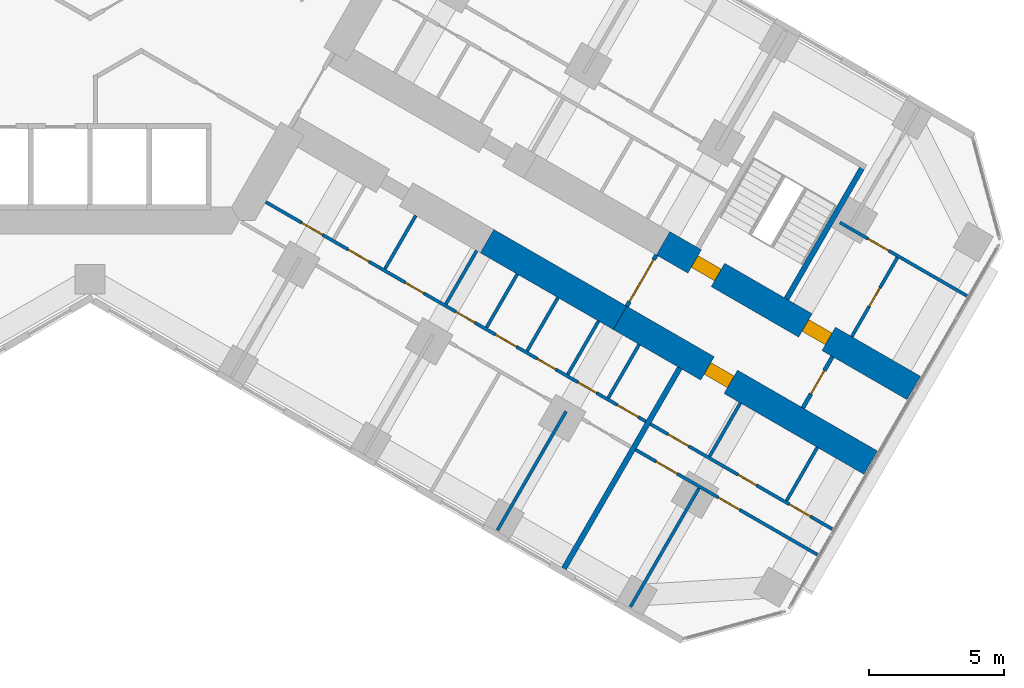
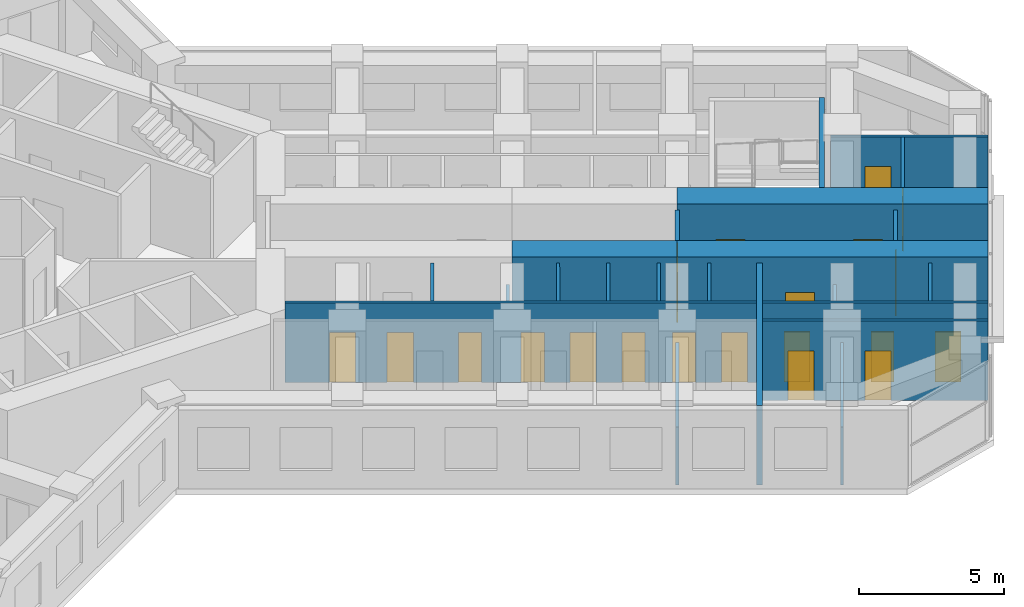
# One storey, part 14 of 21: 22 walls, 20 doors, 20 openings.
"""IFC4 building model written with IfcOpenShell, lengths in metres."""

from ifc_helpers import new_model, si_unit, direction, frame, frame_2d, origin, place, context, subcontext, project, spatial, rectangle, extrude, material, layer, layer_set, type_object, element, fill, save


model = new_model("IFC4")

# Units and contexts
model_context = context("Model", 3, precision=1e-05, world=origin(), true_north=direction((0.0, 1.0)))
body_context = subcontext(model_context, "Body", "Model", "MODEL_VIEW")
ifc_project = project(units=[si_unit("LENGTHUNIT", "METRE"), si_unit("AREAUNIT", "SQUARE_METRE"), si_unit("VOLUMEUNIT", "CUBIC_METRE"), si_unit("PLANEANGLEUNIT", "RADIAN"), si_unit("MASSUNIT", "GRAM", prefix="KILO")], contexts=[model_context])

# Site, building, storey
site_placement = place(None, origin())
site = spatial("IfcSite", under=ifc_project, at=site_placement, CompositionType="ELEMENT")
building_placement = place(site_placement, origin())
building = spatial("IfcBuilding", under=site, at=building_placement, Name="Kosmar Iwan School Tower", CompositionType="ELEMENT")
storey_placement = place(building_placement, frame((0.0, 0.0, 43.0)))
storey = spatial("IfcBuildingStorey", under=building, at=storey_placement, Name="L09", CompositionType="ELEMENT", Elevation=43.0)

# Wall, openings, doors
ifc_material_1 = material(Name="Concrete C50/60", Category="concrete")
ifc_layer_1 = layer(ifc_material_1, 1.0)
ifc_layer_set_1 = layer_set([ifc_layer_1], Name="Corridor buttress wall 1000")
wall_type_1 = type_object("IfcWallType", Name="Corridor buttress wall 1000", PredefinedType="SHEAR", material=ifc_layer_set_1)
wall_1_placement = place(storey_placement, frame((21.281494140625, -10.439453125, 0.0), z_axis=(0.0, 0.0, 1.0), x_axis=(0.866032345022, -0.499987977232, 0.0)))
wall_1 = element("IfcWall", 1, at=wall_1_placement, inside=storey, type_object=wall_type_1, Name="Corridor wall CL bay 3", PredefinedType="SHEAR", context=body_context, shape_type="SweptSolid", body=[
    extrude(rectangle(XDim=10.744873046875, YDim=1.0, at=frame_2d((5.37255859375, 0.0))), origin(), (0.0, 0.0, 1.0), 3.60009765625),
])
opening_1_placement = place(wall_1_placement, frame((6.10009765625, 0.0, 0.0)))
opening_1 = element("IfcOpeningElement", 2, at=opening_1_placement, cuts=wall_1, Name="Opening D1", PredefinedType="OPENING", context=body_context, shape_type="SweptSolid", body=[
    extrude(rectangle(XDim=1.0, YDim=2.10009765625, at=frame_2d((0.5, 1.050048828125))), frame((0.0, 0.511962890625, 0.0), z_axis=(0.0, -1.0, 0.0), x_axis=(1.0, 0.0, 0.0)), (0.0, 0.0, 1.0), 1.02392578125),
])
opening_2_placement = place(wall_1_placement, frame((1.35009765625, 0.0, 0.0)))
opening_2 = element("IfcOpeningElement", 3, at=opening_2_placement, cuts=wall_1, Name="Opening D6", PredefinedType="OPENING", context=body_context, shape_type="SweptSolid", body=[
    extrude(rectangle(XDim=1.0, YDim=2.10009765625, at=frame_2d((0.5, 1.050048828125))), frame((0.0, 0.511962890625, 0.0), z_axis=(0.0, -1.0, 0.0), x_axis=(1.0, 0.0, 0.0)), (0.0, 0.0, 1.0), 1.02392578125),
])
ifc_material_2 = material(Name="Timber fire door in steel frame", Category="steel")
door_type_1 = type_object("IfcDoorType", Name="Flat entrance door 1000x2100", OperationType="SINGLE_SWING_LEFT", PredefinedType="DOOR", material=ifc_material_2)
door_1_placement = place(opening_1_placement, origin())
door_1 = element("IfcDoor", 4, at=door_1_placement, inside=storey, type_object=door_type_1, Name="Flat L09-CL2 entrance door", OperationType="SINGLE_SWING_RIGHT", OverallHeight=2.10009765625, OverallWidth=1.0, PredefinedType="DOOR", context=body_context, shape_type="SweptSolid", body=[
    extrude(rectangle(XDim=1.0, YDim=2.10009765625, at=frame_2d((0.5, 1.050048828125))), frame((0.0, 0.25, 0.0), z_axis=(0.0, -1.0, 0.0), x_axis=(1.0, 0.0, 0.0)), (0.0, 0.0, 1.0), 0.5),
])
fill(opening_1, door_1)
ifc_material_3 = material(Name="Steel fire door", Category="steel")
door_type_2 = type_object("IfcDoorType", Name="Stair door 1000x2100", OperationType="SINGLE_SWING_LEFT", PredefinedType="DOOR", material=ifc_material_3)
door_2_placement = place(opening_2_placement, origin())
door_2 = element("IfcDoor", 5, at=door_2_placement, inside=storey, type_object=door_type_2, Name="Stair WS3 door L09", OperationType="SINGLE_SWING_LEFT", OverallHeight=2.10009765625, OverallWidth=1.0, PredefinedType="DOOR", context=body_context, shape_type="SweptSolid", body=[
    extrude(rectangle(XDim=1.0, YDim=2.10009765625, at=frame_2d((0.5, 1.050048828125))), frame((0.0, 0.25, 0.0), z_axis=(0.0, -1.0, 0.0), x_axis=(1.0, 0.0, 0.0)), (0.0, 0.0, 1.0), 0.5),
])
fill(opening_2, door_2)

# Wall
wall_2_placement = place(storey_placement, frame((14.7451171875, -10.360595703125, 0.0), z_axis=(0.0, 0.0, 1.0), x_axis=(0.866015111908, -0.50001782563, 0.0)))
element("IfcWall", 6, at=wall_2_placement, inside=storey, type_object=wall_type_1, Name="Corridor wall CR bay 2", PredefinedType="SHEAR", context=body_context, shape_type="SweptSolid", body=[
    extrude(rectangle(XDim=5.699951171875, YDim=1.0, at=frame_2d((2.85009765625, 0.0))), origin(), (0.0, 0.0, 1.0), 3.60009765625),
])

# Wall, opening, door
wall_3_placement = place(storey_placement, frame((19.681396484375, -13.210693359375, 0.0), z_axis=(0.0, 0.0, 1.0), x_axis=(0.866028186671, -0.499995179869, 0.0)))
wall_3 = element("IfcWall", 7, at=wall_3_placement, inside=storey, type_object=wall_type_1, Name="Corridor wall CR bay 3", PredefinedType="SHEAR", context=body_context, shape_type="SweptSolid", body=[
    extrude(rectangle(XDim=10.7451171875, YDim=1.0, at=frame_2d((5.37255859375, 0.0))), origin(), (0.0, 0.0, 1.0), 3.60009765625),
])
opening_3_placement = place(wall_3_placement, frame((3.75, 0.0, 0.0)))
opening_3 = element("IfcOpeningElement", 8, at=opening_3_placement, cuts=wall_3, Name="Opening D1", PredefinedType="OPENING", context=body_context, shape_type="SweptSolid", body=[
    extrude(rectangle(XDim=1.0, YDim=2.10009765625, at=frame_2d((0.5, 1.050048828125))), frame((0.0, 0.511962890625, 0.0), z_axis=(0.0, -1.0, 0.0), x_axis=(1.0, 0.0, 0.0)), (0.0, 0.0, 1.0), 1.02392578125),
])
door_3_placement = place(opening_3_placement, origin())
door_3 = element("IfcDoor", 9, at=door_3_placement, inside=storey, type_object=door_type_1, Name="Flat L09-CR2 entrance door", OperationType="SINGLE_SWING_RIGHT", OverallHeight=2.10009765625, OverallWidth=1.0, PredefinedType="DOOR", context=body_context, shape_type="SweptSolid", body=[
    extrude(rectangle(XDim=1.0, YDim=2.10009765625, at=frame_2d((0.5, 1.050048828125))), frame((0.0, 0.25, 0.0), z_axis=(0.0, -1.0, 0.0), x_axis=(1.0, 0.0, 0.0)), (0.0, 0.0, 1.0), 0.5),
])
fill(opening_3, door_3)

ifc_material_4 = material(Name="Gypsum board on steel studs, fire-rated", Category="steel")
ifc_layer_2 = layer(ifc_material_4, 0.14990234375)
ifc_layer_set_2 = layer_set([ifc_layer_2], Name="Corridor end wall 150")
wall_type_2 = type_object("IfcWallType", Name="Corridor end wall 150", PredefinedType="PARTITIONING", material=ifc_layer_set_2)
wall_4_placement = place(storey_placement, frame((26.469970703125, -16.552734375, 0.0), z_axis=(0.0, 0.0, 1.0), x_axis=(0.50002983664, 0.866008176907, 0.0)))
wall_4 = element("IfcWall", 10, at=wall_4_placement, inside=storey, type_object=wall_type_2, Name="Partition L09-C-CE", PredefinedType="PARTITIONING", context=body_context, shape_type="SweptSolid", body=[
    extrude(rectangle(XDim=2.199951171875, YDim=0.14990234375, at=frame_2d((1.10009765625, 0.0))), origin(), (0.0, 0.0, 1.0), 3.35009765625),
])
opening_4_placement = place(wall_4_placement, frame((0.60009765625, 0.0, 0.0)))
opening_4 = element("IfcOpeningElement", 11, at=opening_4_placement, cuts=wall_4, Name="Opening D13", PredefinedType="OPENING", context=body_context, shape_type="SweptSolid", body=[
    extrude(rectangle(XDim=1.0, YDim=2.10009765625, at=frame_2d((0.5, 1.050048828125))), frame((0.0, 0.0869140625, 0.0), z_axis=(0.0, -1.0, 0.0), x_axis=(1.0, 0.0, 0.0)), (0.0, 0.0, 1.0), 0.173828125),
])
ifc_material_5 = material(Name="Timber fire door with vision panel", Category="wood")
door_type_3 = type_object("IfcDoorType", Name="Corridor end door 1000x2100", OperationType="SINGLE_SWING_LEFT", PredefinedType="DOOR", material=ifc_material_5)
door_4_placement = place(opening_4_placement, origin())
door_4 = element("IfcDoor", 12, at=door_4_placement, inside=storey, type_object=door_type_3, Name="Laundry and drying room door L09-C", OperationType="SINGLE_SWING_RIGHT", OverallHeight=2.10009765625, OverallWidth=1.0, PredefinedType="DOOR", context=body_context, shape_type="SweptSolid", body=[
    extrude(rectangle(XDim=1.0, YDim=2.10009765625, at=frame_2d((0.5, 1.050048828125))), frame((0.0, 0.02490234375, 0.0), z_axis=(0.0, -1.0, 0.0), x_axis=(1.0, 0.0, 0.0)), (0.0, 0.0, 1.0), 0.050048828125),
])
fill(opening_4, door_4)

wall_5_placement = place(storey_placement, frame((19.931396484375, -12.777587890625, 0.0), z_axis=(0.0, 0.0, 1.0), x_axis=(0.50002983664, 0.866008176907, 0.0)))
wall_5 = element("IfcWall", 13, at=wall_5_placement, inside=storey, type_object=wall_type_2, Name="Partition L09-C-HW", PredefinedType="PARTITIONING", context=body_context, shape_type="SweptSolid", body=[
    extrude(rectangle(XDim=2.199951171875, YDim=0.14990234375, at=frame_2d((1.10009765625, 0.0))), origin(), (0.0, 0.0, 1.0), 3.35009765625),
])
opening_5_placement = place(wall_5_placement, frame((0.199951171875, 0.0, 0.0)))
opening_5 = element("IfcOpeningElement", 14, at=opening_5_placement, cuts=wall_5, Name="Opening D9", PredefinedType="OPENING", context=body_context, shape_type="SweptSolid", body=[
    extrude(rectangle(XDim=1.800048828125, YDim=2.10009765625, at=frame_2d((0.89990234375, 1.050048828125))), frame((0.0, 0.0869140625, 0.0), z_axis=(0.0, -1.0, 0.0), x_axis=(1.0, 0.0, 0.0)), (0.0, 0.0, 1.0), 0.173828125),
])
ifc_material_6 = material(Name="Steel framed glazed smoke door", Category="steel")
door_type_4 = type_object("IfcDoorType", Name="Corridor smoke door pair 1800x2100", OperationType="DOUBLE_DOOR_DOUBLE_SWING", PredefinedType="DOOR", material=ifc_material_6)
door_5_placement = place(opening_5_placement, origin())
door_5 = element("IfcDoor", 15, at=door_5_placement, inside=storey, type_object=door_type_4, Name="Entrance vestibule smoke doors L09-C", OperationType="DOUBLE_DOOR_DOUBLE_SWING", OverallHeight=2.10009765625, OverallWidth=1.800048828125, PredefinedType="DOOR", context=body_context, shape_type="SweptSolid", body=[
    extrude(rectangle(XDim=1.800048828125, YDim=2.10009765625, at=frame_2d((0.89990234375, 1.050048828125))), frame((0.0, 0.02490234375, 0.0), z_axis=(0.0, -1.0, 0.0), x_axis=(1.0, 0.0, 0.0)), (0.0, 0.0, 1.0), 0.050048828125),
])
fill(opening_5, door_5)

ifc_material_7 = material(Name="Gypsum board on steel studs", Category="steel")
ifc_layer_3 = layer(ifc_material_7, 0.1201171875)
ifc_layer_set_3 = layer_set([ifc_layer_3], Name="Dwelling partition 120")
wall_type_3 = type_object("IfcWallType", Name="Dwelling partition 120", PredefinedType="PARTITIONING", material=ifc_layer_set_3)
wall_6_placement = place(storey_placement, frame((27.846435546875, -9.66845703125, 0.0), z_axis=(0.0, 0.0, 1.0), x_axis=(0.866016093277, -0.500016125924, 0.0)))
wall_6 = element("IfcWall", 16, at=wall_6_placement, inside=storey, type_object=wall_type_3, Name="Partition L09-CL2-TW", PredefinedType="PARTITIONING", context=body_context, shape_type="SweptSolid", body=[
    extrude(rectangle(XDim=5.445068359375, YDim=0.1201171875, at=frame_2d((2.72265625, 0.0))), origin(), (0.0, 0.0, 1.0), 3.35009765625),
])
opening_6_placement = place(wall_6_placement, frame((1.199951171875, 0.0, 0.0)))
opening_6 = element("IfcOpeningElement", 17, at=opening_6_placement, cuts=wall_6, Name="Opening D2", PredefinedType="OPENING", context=body_context, shape_type="SweptSolid", body=[
    extrude(rectangle(XDim=0.89990234375, YDim=2.10009765625, at=frame_2d((0.449951171875, 1.050048828125))), frame((0.0, 0.072021484375, 0.0), z_axis=(0.0, -1.0, 0.0), x_axis=(1.0, 0.0, 0.0)), (0.0, 0.0, 1.0), 0.14404296875),
])
ifc_material_8 = material(Name="Timber door in timber frame", Category="wood")
door_type_5 = type_object("IfcDoorType", Name="Internal door 900x2100", OperationType="SINGLE_SWING_LEFT", PredefinedType="DOOR", material=ifc_material_8)
door_6_placement = place(opening_6_placement, origin())
door_6 = element("IfcDoor", 18, at=door_6_placement, inside=storey, type_object=door_type_5, Name="Entrance hall door L09-CL2-T3", OperationType="SINGLE_SWING_LEFT", OverallHeight=2.10009765625, OverallWidth=0.89990234375, PredefinedType="DOOR", context=body_context, shape_type="SweptSolid", body=[
    extrude(rectangle(XDim=0.89990234375, YDim=2.10009765625, at=frame_2d((0.449951171875, 1.050048828125))), frame((0.0, 0.02490234375, 0.0), z_axis=(0.0, -1.0, 0.0), x_axis=(1.0, 0.0, 0.0)), (0.0, 0.0, 1.0), 0.050048828125),
])
fill(opening_6, door_6)

wall_7_placement = place(storey_placement, frame((28.286376953125, -13.90625, 0.0), z_axis=(0.0, 0.0, 1.0), x_axis=(0.500019607421, 0.866014083139, 0.0)))
wall_7 = element("IfcWall", 19, at=wall_7_placement, inside=storey, type_object=wall_type_3, Name="Partition L09-CL2-TY", PredefinedType="PARTITIONING", context=body_context, shape_type="SweptSolid", body=[
    extrude(rectangle(XDim=3.389892578125, YDim=0.1201171875, at=frame_2d((1.69482421875, 0.0))), origin(), (0.0, 0.0, 1.0), 3.35009765625),
])
opening_7_placement = place(wall_7_placement, frame((1.294921875, 0.0, 0.0)))
opening_7 = element("IfcOpeningElement", 20, at=opening_7_placement, cuts=wall_7, Name="Opening D3", PredefinedType="OPENING", context=body_context, shape_type="SweptSolid", body=[
    extrude(rectangle(XDim=0.800048828125, YDim=2.10009765625, at=frame_2d((0.39990234375, 1.050048828125))), frame((0.0, 0.072021484375, 0.0), z_axis=(0.0, -1.0, 0.0), x_axis=(1.0, 0.0, 0.0)), (0.0, 0.0, 1.0), 0.14404296875),
])
ifc_material_9 = material(Name="Timber door in timber frame", Category="wood")
door_type_6 = type_object("IfcDoorType", Name="Sanitary room door 800x2100", OperationType="SINGLE_SWING_LEFT", PredefinedType="DOOR", material=ifc_material_9)
door_7_placement = place(opening_7_placement, origin())
door_7 = element("IfcDoor", 21, at=door_7_placement, inside=storey, type_object=door_type_6, Name="Bathroom door L09-CL2-T4", OperationType="SINGLE_SWING_LEFT", OverallHeight=2.10009765625, OverallWidth=0.800048828125, PredefinedType="DOOR", context=body_context, shape_type="SweptSolid", body=[
    extrude(rectangle(XDim=0.800048828125, YDim=2.10009765625, at=frame_2d((0.39990234375, 1.050048828125))), frame((0.0, 0.02490234375, 0.0), z_axis=(0.0, -1.0, 0.0), x_axis=(1.0, 0.0, 0.0)), (0.0, 0.0, 1.0), 0.050048828125),
])
fill(opening_7, door_7)

# Wall, openings, doors
wall_8_placement = place(storey_placement, frame((6.521728515625, -8.90380859375, 0.0), z_axis=(0.0, 0.0, 1.0), x_axis=(0.866031694176, -0.499989104564, 0.0)))
wall_8 = element("IfcWall", 22, at=wall_8_placement, inside=storey, type_object=wall_type_3, Name="Partition L09-CR1-W1", PredefinedType="PARTITIONING", context=body_context, shape_type="SweptSolid", body=[
    extrude(rectangle(XDim=16.300048828125, YDim=0.1201171875, at=frame_2d((8.14990234375, 0.0))), origin(), (0.0, 0.0, 1.0), 3.35009765625),
])
opening_8_placement = place(wall_8_placement, frame((1.5400390625, 0.0, 0.0)))
opening_8 = element("IfcOpeningElement", 23, at=opening_8_placement, cuts=wall_8, Name="Opening D2", PredefinedType="OPENING", context=body_context, shape_type="SweptSolid", body=[
    extrude(rectangle(XDim=0.89990234375, YDim=2.10009765625, at=frame_2d((0.449951171875, 1.050048828125))), frame((0.0, 0.072021484375, 0.0), z_axis=(0.0, -1.0, 0.0), x_axis=(1.0, 0.0, 0.0)), (0.0, 0.0, 1.0), 0.14404296875),
])
opening_9_placement = place(wall_8_placement, frame((3.530029296875, 0.0, 0.0)))
opening_9 = element("IfcOpeningElement", 24, at=opening_9_placement, cuts=wall_8, Name="Opening D2", PredefinedType="OPENING", context=body_context, shape_type="SweptSolid", body=[
    extrude(rectangle(XDim=0.89990234375, YDim=2.10009765625, at=frame_2d((0.449951171875, 1.050048828125))), frame((0.0, 0.072021484375, 0.0), z_axis=(0.0, -1.0, 0.0), x_axis=(1.0, 0.0, 0.0)), (0.0, 0.0, 1.0), 0.14404296875),
])
opening_10_placement = place(wall_8_placement, frame((5.986083984375, 0.0, 0.0)))
opening_10 = element("IfcOpeningElement", 25, at=opening_10_placement, cuts=wall_8, Name="Opening D3", PredefinedType="OPENING", context=body_context, shape_type="SweptSolid", body=[
    extrude(rectangle(XDim=0.800048828125, YDim=2.10009765625, at=frame_2d((0.39990234375, 1.050048828125))), frame((0.0, 0.072021484375, 0.0), z_axis=(0.0, -1.0, 0.0), x_axis=(1.0, 0.0, 0.0)), (0.0, 0.0, 1.0), 0.14404296875),
])
opening_11_placement = place(wall_8_placement, frame((8.1630859375, 0.0, 0.0)))
opening_11 = element("IfcOpeningElement", 26, at=opening_11_placement, cuts=wall_8, Name="Opening D3", PredefinedType="OPENING", context=body_context, shape_type="SweptSolid", body=[
    extrude(rectangle(XDim=0.800048828125, YDim=2.10009765625, at=frame_2d((0.39990234375, 1.050048828125))), frame((0.0, 0.072021484375, 0.0), z_axis=(0.0, -1.0, 0.0), x_axis=(1.0, 0.0, 0.0)), (0.0, 0.0, 1.0), 0.14404296875),
])
opening_12_placement = place(wall_8_placement, frame((9.854736328125, 0.0, 0.0)))
opening_12 = element("IfcOpeningElement", 27, at=opening_12_placement, cuts=wall_8, Name="Opening D2", PredefinedType="OPENING", context=body_context, shape_type="SweptSolid", body=[
    extrude(rectangle(XDim=0.89990234375, YDim=2.10009765625, at=frame_2d((0.449951171875, 1.050048828125))), frame((0.0, 0.072021484375, 0.0), z_axis=(0.0, -1.0, 0.0), x_axis=(1.0, 0.0, 0.0)), (0.0, 0.0, 1.0), 0.14404296875),
])
opening_13_placement = place(wall_8_placement, frame((11.646240234375, 0.0, 0.0)))
opening_13 = element("IfcOpeningElement", 28, at=opening_13_placement, cuts=wall_8, Name="Opening D3", PredefinedType="OPENING", context=body_context, shape_type="SweptSolid", body=[
    extrude(rectangle(XDim=0.800048828125, YDim=2.10009765625, at=frame_2d((0.39990234375, 1.050048828125))), frame((0.0, 0.072021484375, 0.0), z_axis=(0.0, -1.0, 0.0), x_axis=(1.0, 0.0, 0.0)), (0.0, 0.0, 1.0), 0.14404296875),
])
opening_14_placement = place(wall_8_placement, frame((13.3876953125, 0.0, 0.0)))
opening_14 = element("IfcOpeningElement", 29, at=opening_14_placement, cuts=wall_8, Name="Opening D3", PredefinedType="OPENING", context=body_context, shape_type="SweptSolid", body=[
    extrude(rectangle(XDim=0.800048828125, YDim=2.10009765625, at=frame_2d((0.39990234375, 1.050048828125))), frame((0.0, 0.072021484375, 0.0), z_axis=(0.0, -1.0, 0.0), x_axis=(1.0, 0.0, 0.0)), (0.0, 0.0, 1.0), 0.14404296875),
])
opening_15_placement = place(wall_8_placement, frame((15.079345703125, 0.0, 0.0)))
opening_15 = element("IfcOpeningElement", 30, at=opening_15_placement, cuts=wall_8, Name="Opening D2", PredefinedType="OPENING", context=body_context, shape_type="SweptSolid", body=[
    extrude(rectangle(XDim=0.89990234375, YDim=2.10009765625, at=frame_2d((0.449951171875, 1.050048828125))), frame((0.0, 0.072021484375, 0.0), z_axis=(0.0, -1.0, 0.0), x_axis=(1.0, 0.0, 0.0)), (0.0, 0.0, 1.0), 0.14404296875),
])
door_8_placement = place(opening_8_placement, origin())
door_8 = element("IfcDoor", 31, at=door_8_placement, inside=storey, type_object=door_type_5, Name="Utility room door L09-CR1-S1", OperationType="SINGLE_SWING_RIGHT", OverallHeight=2.10009765625, OverallWidth=0.89990234375, PredefinedType="DOOR", context=body_context, shape_type="SweptSolid", body=[
    extrude(rectangle(XDim=0.89990234375, YDim=2.10009765625, at=frame_2d((0.449951171875, 1.050048828125))), frame((0.0, 0.02490234375, 0.0), z_axis=(0.0, -1.0, 0.0), x_axis=(1.0, 0.0, 0.0)), (0.0, 0.0, 1.0), 0.050048828125),
])
fill(opening_8, door_8)
door_9_placement = place(opening_9_placement, origin())
door_9 = element("IfcDoor", 32, at=door_9_placement, inside=storey, type_object=door_type_5, Name="Entrance hall door L09-CR1-S2", OperationType="SINGLE_SWING_LEFT", OverallHeight=2.10009765625, OverallWidth=0.89990234375, PredefinedType="DOOR", context=body_context, shape_type="SweptSolid", body=[
    extrude(rectangle(XDim=0.89990234375, YDim=2.10009765625, at=frame_2d((0.449951171875, 1.050048828125))), frame((0.0, 0.02490234375, 0.0), z_axis=(0.0, -1.0, 0.0), x_axis=(1.0, 0.0, 0.0)), (0.0, 0.0, 1.0), 0.050048828125),
])
fill(opening_9, door_9)
door_10_placement = place(opening_12_placement, origin())
door_10 = element("IfcDoor", 33, at=door_10_placement, inside=storey, type_object=door_type_5, Name="Pantry door L09-CR1-S5", OperationType="SINGLE_SWING_RIGHT", OverallHeight=2.10009765625, OverallWidth=0.89990234375, PredefinedType="DOOR", context=body_context, shape_type="SweptSolid", body=[
    extrude(rectangle(XDim=0.89990234375, YDim=2.10009765625, at=frame_2d((0.449951171875, 1.050048828125))), frame((0.0, 0.02490234375, 0.0), z_axis=(0.0, -1.0, 0.0), x_axis=(1.0, 0.0, 0.0)), (0.0, 0.0, 1.0), 0.050048828125),
])
fill(opening_12, door_10)
door_11_placement = place(opening_15_placement, origin())
door_11 = element("IfcDoor", 34, at=door_11_placement, inside=storey, type_object=door_type_5, Name="Dressing room door L09-CR1-S8", OperationType="SINGLE_SWING_RIGHT", OverallHeight=2.10009765625, OverallWidth=0.89990234375, PredefinedType="DOOR", context=body_context, shape_type="SweptSolid", body=[
    extrude(rectangle(XDim=0.89990234375, YDim=2.10009765625, at=frame_2d((0.449951171875, 1.050048828125))), frame((0.0, 0.02490234375, 0.0), z_axis=(0.0, -1.0, 0.0), x_axis=(1.0, 0.0, 0.0)), (0.0, 0.0, 1.0), 0.050048828125),
])
fill(opening_15, door_11)
door_12_placement = place(opening_10_placement, origin())
door_12 = element("IfcDoor", 35, at=door_12_placement, inside=storey, type_object=door_type_6, Name="Bathroom door L09-CR1-S3", OperationType="SINGLE_SWING_RIGHT", OverallHeight=2.10009765625, OverallWidth=0.800048828125, PredefinedType="DOOR", context=body_context, shape_type="SweptSolid", body=[
    extrude(rectangle(XDim=0.800048828125, YDim=2.10009765625, at=frame_2d((0.39990234375, 1.050048828125))), frame((0.0, 0.02490234375, 0.0), z_axis=(0.0, -1.0, 0.0), x_axis=(1.0, 0.0, 0.0)), (0.0, 0.0, 1.0), 0.050048828125),
])
fill(opening_10, door_12)
door_13_placement = place(opening_11_placement, origin())
door_13 = element("IfcDoor", 36, at=door_13_placement, inside=storey, type_object=door_type_6, Name="Shower room door L09-CR1-S4", OperationType="SINGLE_SWING_LEFT", OverallHeight=2.10009765625, OverallWidth=0.800048828125, PredefinedType="DOOR", context=body_context, shape_type="SweptSolid", body=[
    extrude(rectangle(XDim=0.800048828125, YDim=2.10009765625, at=frame_2d((0.39990234375, 1.050048828125))), frame((0.0, 0.02490234375, 0.0), z_axis=(0.0, -1.0, 0.0), x_axis=(1.0, 0.0, 0.0)), (0.0, 0.0, 1.0), 0.050048828125),
])
fill(opening_11, door_13)
door_14_placement = place(opening_13_placement, origin())
door_14 = element("IfcDoor", 37, at=door_14_placement, inside=storey, type_object=door_type_6, Name="WC door L09-CR1-S6", OperationType="SINGLE_SWING_LEFT", OverallHeight=2.10009765625, OverallWidth=0.800048828125, PredefinedType="DOOR", context=body_context, shape_type="SweptSolid", body=[
    extrude(rectangle(XDim=0.800048828125, YDim=2.10009765625, at=frame_2d((0.39990234375, 1.050048828125))), frame((0.0, 0.02490234375, 0.0), z_axis=(0.0, -1.0, 0.0), x_axis=(1.0, 0.0, 0.0)), (0.0, 0.0, 1.0), 0.050048828125),
])
fill(opening_13, door_14)
door_15_placement = place(opening_14_placement, origin())
door_15 = element("IfcDoor", 38, at=door_15_placement, inside=storey, type_object=door_type_6, Name="Store door L09-CR1-S7", OperationType="SINGLE_SWING_RIGHT", OverallHeight=2.10009765625, OverallWidth=0.800048828125, PredefinedType="DOOR", context=body_context, shape_type="SweptSolid", body=[
    extrude(rectangle(XDim=0.800048828125, YDim=2.10009765625, at=frame_2d((0.39990234375, 1.050048828125))), frame((0.0, 0.02490234375, 0.0), z_axis=(0.0, -1.0, 0.0), x_axis=(1.0, 0.0, 0.0)), (0.0, 0.0, 1.0), 0.050048828125),
])
fill(opening_14, door_15)

# Walls
wall_9_placement = place(storey_placement, frame((17.676513671875, -16.683349609375, 0.0), z_axis=(0.0, 0.0, 1.0), x_axis=(-0.499977104415, -0.866038622153, 0.0)))
element("IfcWall", 39, at=wall_9_placement, inside=storey, type_object=wall_type_3, Name="Partition L09-CR1-X4", PredefinedType="PARTITIONING", context=body_context, shape_type="SweptSolid", body=[
    extrude(rectangle(XDim=5.090087890625, YDim=0.1201171875, at=frame_2d((2.544921875, 0.0))), origin(), (0.0, 0.0, 1.0), 2.449951171875),
])
wall_10_placement = place(storey_placement, frame((12.09619140625, -9.40869140625, 0.0), z_axis=(0.0, 0.0, 1.0), x_axis=(-0.500014693593, -0.866016920268, 0.0)))
element("IfcWall", 40, at=wall_10_placement, inside=storey, type_object=wall_type_3, Name="Partition L09-CR1-Y2", PredefinedType="PARTITIONING", context=body_context, shape_type="SweptSolid", body=[
    extrude(rectangle(XDim=2.2900390625, YDim=0.1201171875, at=frame_2d((1.14501953125, 0.0))), origin(), (0.0, 0.0, 1.0), 3.35009765625),
])
wall_11_placement = place(storey_placement, frame((14.358642578125, -10.71484375, 0.0), z_axis=(0.0, 0.0, 1.0), x_axis=(-0.500014693593, -0.866016920268, 0.0)))
element("IfcWall", 41, at=wall_11_placement, inside=storey, type_object=wall_type_3, Name="Partition L09-CR1-Y3", PredefinedType="PARTITIONING", context=body_context, shape_type="SweptSolid", body=[
    extrude(rectangle(XDim=2.2900390625, YDim=0.1201171875, at=frame_2d((1.14501953125, 0.0))), origin(), (0.0, 0.0, 1.0), 2.449951171875),
])
for number, where, z_axis, x_axis, name in (
    (42, (15.86669921875, -11.58544921875, 0.0), (0.0, 0.0, 1.0), (-0.499888569412, -0.866089728707, 0.0), "Partition L09-CR1-Y4"),
    (43, (17.375, -12.456298828125, 0.0), (0.0, 0.0, 1.0), (-0.500014693593, -0.866016920268, 0.0), "Partition L09-CR1-Y5"),
    (44, (18.88330078125, -13.3271484375, 0.0), (0.0, 0.0, 1.0), (-0.500014693593, -0.866016920268, 0.0), "Partition L09-CR1-Y6"),
):
    element("IfcWall", number, at=place(storey_placement, frame(where, z_axis=z_axis, x_axis=x_axis)), inside=storey, type_object=wall_type_3, Name=name, PredefinedType="PARTITIONING", context=body_context, shape_type="SweptSolid", body=[
        extrude(rectangle(XDim=2.2900390625, YDim=0.1201171875, at=frame_2d((1.14501953125, 0.0))), origin(), (0.0, 0.0, 1.0), 3.35009765625),
    ])
wall_12_placement = place(storey_placement, frame((20.391357421875, -14.19775390625, 0.0), z_axis=(0.0, 0.0, 1.0), x_axis=(-0.499968531483, -0.866043571379, 0.0)))
element("IfcWall", 45, at=wall_12_placement, inside=storey, type_object=wall_type_3, Name="Partition L09-CR1-Y7", PredefinedType="PARTITIONING", context=body_context, shape_type="SweptSolid", body=[
    extrude(rectangle(XDim=2.290283203125, YDim=0.1201171875, at=frame_2d((1.14501953125, 0.0))), origin(), (0.0, 0.0, 1.0), 3.35009765625),
])

# Wall, openings, doors
wall_13_placement = place(storey_placement, frame((20.811279296875, -17.15380859375, 0.0), z_axis=(0.0, 0.0, 1.0), x_axis=(0.866029639064, -0.499992664208, 0.0)))
wall_13 = element("IfcWall", 46, at=wall_13_placement, inside=storey, type_object=wall_type_3, Name="Partition L09-CR2-W1", PredefinedType="PARTITIONING", context=body_context, shape_type="SweptSolid", body=[
    extrude(rectangle(XDim=7.794921875, YDim=0.1201171875, at=frame_2d((3.8974609375, 0.0))), origin(), (0.0, 0.0, 1.0), 3.35009765625),
])
opening_16_placement = place(wall_13_placement, frame((0.75, 0.0, 0.0)))
opening_16 = element("IfcOpeningElement", 47, at=opening_16_placement, cuts=wall_13, Name="Opening D2", PredefinedType="OPENING", context=body_context, shape_type="SweptSolid", body=[
    extrude(rectangle(XDim=0.89990234375, YDim=2.10009765625, at=frame_2d((0.449951171875, 1.050048828125))), frame((0.0, 0.072021484375, 0.0), z_axis=(0.0, -1.0, 0.0), x_axis=(1.0, 0.0, 0.0)), (0.0, 0.0, 1.0), 0.14404296875),
])
opening_17_placement = place(wall_13_placement, frame((3.75, 0.0, 0.0)))
opening_17 = element("IfcOpeningElement", 48, at=opening_17_placement, cuts=wall_13, Name="Opening D3", PredefinedType="OPENING", context=body_context, shape_type="SweptSolid", body=[
    extrude(rectangle(XDim=0.800048828125, YDim=2.10009765625, at=frame_2d((0.39990234375, 1.050048828125))), frame((0.0, 0.072021484375, 0.0), z_axis=(0.0, -1.0, 0.0), x_axis=(1.0, 0.0, 0.0)), (0.0, 0.0, 1.0), 0.14404296875),
])
opening_18_placement = place(wall_13_placement, frame((5.9599609375, 0.0, 0.0)))
opening_18 = element("IfcOpeningElement", 49, at=opening_18_placement, cuts=wall_13, Name="Opening D2", PredefinedType="OPENING", context=body_context, shape_type="SweptSolid", body=[
    extrude(rectangle(XDim=0.89990234375, YDim=2.10009765625, at=frame_2d((0.449951171875, 1.050048828125))), frame((0.0, 0.072021484375, 0.0), z_axis=(0.0, -1.0, 0.0), x_axis=(1.0, 0.0, 0.0)), (0.0, 0.0, 1.0), 0.14404296875),
])
door_16_placement = place(opening_16_placement, origin())
door_16 = element("IfcDoor", 50, at=door_16_placement, inside=storey, type_object=door_type_5, Name="Entrance hall door L09-CR2-S1", OperationType="SINGLE_SWING_RIGHT", OverallHeight=2.10009765625, OverallWidth=0.89990234375, PredefinedType="DOOR", context=body_context, shape_type="SweptSolid", body=[
    extrude(rectangle(XDim=0.89990234375, YDim=2.10009765625, at=frame_2d((0.449951171875, 1.050048828125))), frame((0.0, 0.02490234375, 0.0), z_axis=(0.0, -1.0, 0.0), x_axis=(1.0, 0.0, 0.0)), (0.0, 0.0, 1.0), 0.050048828125),
])
fill(opening_16, door_16)
door_17_placement = place(opening_18_placement, origin())
door_17 = element("IfcDoor", 51, at=door_17_placement, inside=storey, type_object=door_type_5, Name="Pantry door L09-CR2-S3", OperationType="SINGLE_SWING_LEFT", OverallHeight=2.10009765625, OverallWidth=0.89990234375, PredefinedType="DOOR", context=body_context, shape_type="SweptSolid", body=[
    extrude(rectangle(XDim=0.89990234375, YDim=2.10009765625, at=frame_2d((0.449951171875, 1.050048828125))), frame((0.0, 0.02490234375, 0.0), z_axis=(0.0, -1.0, 0.0), x_axis=(1.0, 0.0, 0.0)), (0.0, 0.0, 1.0), 0.050048828125),
])
fill(opening_18, door_17)
door_18_placement = place(opening_17_placement, origin())
door_18 = element("IfcDoor", 52, at=door_18_placement, inside=storey, type_object=door_type_6, Name="Bathroom door L09-CR2-S2", OperationType="SINGLE_SWING_LEFT", OverallHeight=2.10009765625, OverallWidth=0.800048828125, PredefinedType="DOOR", context=body_context, shape_type="SweptSolid", body=[
    extrude(rectangle(XDim=0.800048828125, YDim=2.10009765625, at=frame_2d((0.39990234375, 1.050048828125))), frame((0.0, 0.02490234375, 0.0), z_axis=(0.0, -1.0, 0.0), x_axis=(1.0, 0.0, 0.0)), (0.0, 0.0, 1.0), 0.050048828125),
])
fill(opening_17, door_18)

wall_14_placement = place(storey_placement, frame((20.26123046875, -18.1064453125, 0.0), z_axis=(0.0, 0.0, 1.0), x_axis=(0.866029639064, -0.499992664208, 0.0)))
wall_14 = element("IfcWall", 53, at=wall_14_placement, inside=storey, type_object=wall_type_3, Name="Partition L09-CR2-W2", PredefinedType="PARTITIONING", context=body_context, shape_type="SweptSolid", body=[
    extrude(rectangle(XDim=7.794921875, YDim=0.1201171875, at=frame_2d((3.8974609375, 0.0))), origin(), (0.0, 0.0, 1.0), 3.35009765625),
])
opening_19_placement = place(wall_14_placement, frame((0.875, 0.0, 0.0)))
opening_19 = element("IfcOpeningElement", 54, at=opening_19_placement, cuts=wall_14, Name="Opening D2", PredefinedType="OPENING", context=body_context, shape_type="SweptSolid", body=[
    extrude(rectangle(XDim=0.89990234375, YDim=2.10009765625, at=frame_2d((0.449951171875, 1.050048828125))), frame((0.0, 0.072021484375, 0.0), z_axis=(0.0, -1.0, 0.0), x_axis=(1.0, 0.0, 0.0)), (0.0, 0.0, 1.0), 0.14404296875),
])
opening_20_placement = place(wall_14_placement, frame((3.550048828125, 0.0, 0.0)))
opening_20 = element("IfcOpeningElement", 55, at=opening_20_placement, cuts=wall_14, Name="Opening D2", PredefinedType="OPENING", context=body_context, shape_type="SweptSolid", body=[
    extrude(rectangle(XDim=0.89990234375, YDim=2.10009765625, at=frame_2d((0.449951171875, 1.050048828125))), frame((0.0, 0.072021484375, 0.0), z_axis=(0.0, -1.0, 0.0), x_axis=(1.0, 0.0, 0.0)), (0.0, 0.0, 1.0), 0.14404296875),
])
door_19_placement = place(opening_19_placement, origin())
door_19 = element("IfcDoor", 56, at=door_19_placement, inside=storey, type_object=door_type_5, Name="Bedroom 1 door L09-CR2-F1", OperationType="SINGLE_SWING_LEFT", OverallHeight=2.10009765625, OverallWidth=0.89990234375, PredefinedType="DOOR", context=body_context, shape_type="SweptSolid", body=[
    extrude(rectangle(XDim=0.89990234375, YDim=2.10009765625, at=frame_2d((0.449951171875, 1.050048828125))), frame((0.0, 0.02490234375, 0.0), z_axis=(0.0, -1.0, 0.0), x_axis=(1.0, 0.0, 0.0)), (0.0, 0.0, 1.0), 0.050048828125),
])
fill(opening_19, door_19)
door_20_placement = place(opening_20_placement, origin())
door_20 = element("IfcDoor", 57, at=door_20_placement, inside=storey, type_object=door_type_5, Name="Living room and kitchen door L09-CR2-F2", OperationType="SINGLE_SWING_RIGHT", OverallHeight=2.10009765625, OverallWidth=0.89990234375, PredefinedType="DOOR", context=body_context, shape_type="SweptSolid", body=[
    extrude(rectangle(XDim=0.89990234375, YDim=2.10009765625, at=frame_2d((0.449951171875, 1.050048828125))), frame((0.0, 0.02490234375, 0.0), z_axis=(0.0, -1.0, 0.0), x_axis=(1.0, 0.0, 0.0)), (0.0, 0.0, 1.0), 0.050048828125),
])
fill(opening_20, door_20)

# Walls
wall_15_placement = place(storey_placement, frame((22.61279296875, -19.533447265625, 0.0), z_axis=(0.0, 0.0, 1.0), x_axis=(-0.499997873537, -0.866026631495, 0.0)))
element("IfcWall", 58, at=wall_15_placement, inside=storey, type_object=wall_type_3, Name="Partition L09-CR2-X1", PredefinedType="PARTITIONING", context=body_context, shape_type="SweptSolid", body=[
    extrude(rectangle(XDim=5.08984375, YDim=0.1201171875, at=frame_2d((2.544921875, 0.0))), origin(), (0.0, 0.0, 1.0), 2.449951171875),
])
wall_16_placement = place(storey_placement, frame((24.1513671875, -16.36865234375, 0.0), z_axis=(0.0, 0.0, 1.0), x_axis=(-0.500014693593, -0.866016920268, 0.0)))
element("IfcWall", 59, at=wall_16_placement, inside=storey, type_object=wall_type_3, Name="Partition L09-CR2-Y1", PredefinedType="PARTITIONING", context=body_context, shape_type="SweptSolid", body=[
    extrude(rectangle(XDim=2.2900390625, YDim=0.1201171875, at=frame_2d((1.14501953125, 0.0))), origin(), (0.0, 0.0, 1.0), 2.449951171875),
])
wall_17_placement = place(storey_placement, frame((27.00927734375, -18.0185546875, 0.0), z_axis=(0.0, 0.0, 1.0), x_axis=(-0.499968531483, -0.866043571379, 0.0)))
element("IfcWall", 60, at=wall_17_placement, inside=storey, type_object=wall_type_3, Name="Partition L09-CR2-Y2", PredefinedType="PARTITIONING", context=body_context, shape_type="SweptSolid", body=[
    extrude(rectangle(XDim=2.290283203125, YDim=0.1201171875, at=frame_2d((1.14501953125, 0.0))), origin(), (0.0, 0.0, 1.0), 3.35009765625),
])
ifc_material_10 = material(Name="Concrete C35/45", Category="concrete")
ifc_layer_4 = layer(ifc_material_10, 0.199951171875)
ifc_layer_set_4 = layer_set([ifc_layer_4], Name="Escape stair wall 200")
wall_type_4 = type_object("IfcWallType", Name="Escape stair wall 200", PredefinedType="SHEAR", material=ifc_layer_set_4)
wall_18_placement = place(storey_placement, frame((25.861572265625, -12.50634765625, 0.0), z_axis=(0.0, 0.0, 1.0), x_axis=(0.500018801468, 0.86601454848, 0.0)))
element("IfcWall", 61, at=wall_18_placement, inside=storey, type_object=wall_type_4, Name="Stair WS3 wall", PredefinedType="SHEAR", context=body_context, shape_type="SweptSolid", body=[
    extrude(rectangle(XDim=5.800048828125, YDim=0.199951171875, at=frame_2d((2.89990234375, 0.0))), origin(), (0.0, 0.0, 1.0), 3.330078125),
])
ifc_material_11 = material(Name="Concrete block masonry", Category="masonry")
ifc_layer_5 = layer(ifc_material_11, 0.199951171875)
ifc_layer_set_5 = layer_set([ifc_layer_5], Name="Party wall 200")
wall_type_5 = type_object("IfcWallType", Name="Party wall 200", PredefinedType="PARTITIONING", material=ifc_layer_set_5)
wall_19_placement = place(storey_placement, frame((21.899658203125, -15.068603515625, 0.0), z_axis=(0.0, 0.0, 1.0), x_axis=(-0.499995216735, -0.866028165386, 0.0)))
element("IfcWall", 62, at=wall_19_placement, inside=storey, type_object=wall_type_5, Name="Partition L09-CR2-PW", PredefinedType="PARTITIONING", context=body_context, shape_type="SweptSolid", body=[
    extrude(rectangle(XDim=8.60009765625, YDim=0.199951171875, at=frame_2d((4.300048828125, 0.0))), origin(), (0.0, 0.0, 1.0), 3.35009765625),
])

save(model, "model.ifc")
